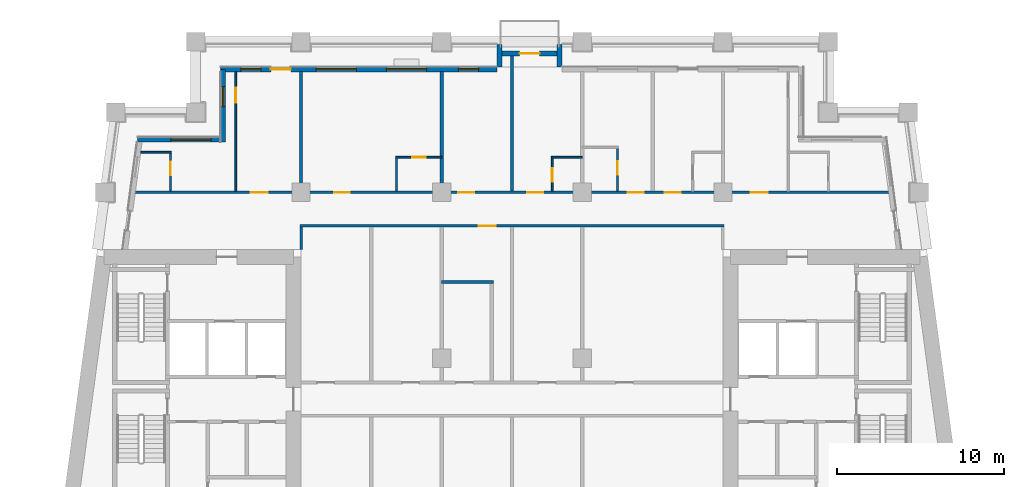
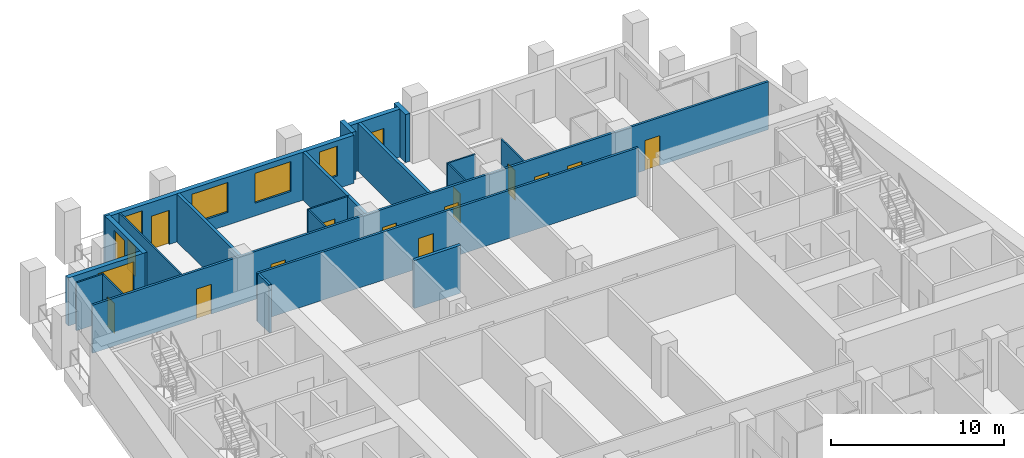
# One storey, part 7 of 13: 21 walls, 15 doors, 6 windows, 21 openings.
"""IFC4 building model written with IfcOpenShell, lengths in metres."""

from ifc_helpers import new_model, si_unit, direction, frame, frame_2d, origin, place, context, subcontext, project, spatial, rectangle, extrude, material, layer, layer_set, type_object, element, fill, save


model = new_model("IFC4")

# Units and contexts
model_context = context("Model", 3, precision=1e-05, world=origin(), true_north=direction((0.0, 1.0)))
body_context = subcontext(model_context, "Body", "Model", "MODEL_VIEW")
ifc_project = project(units=[si_unit("LENGTHUNIT", "METRE"), si_unit("AREAUNIT", "SQUARE_METRE"), si_unit("VOLUMEUNIT", "CUBIC_METRE"), si_unit("PLANEANGLEUNIT", "RADIAN"), si_unit("MASSUNIT", "GRAM", prefix="KILO")], contexts=[model_context])

# Site, building, storey
site_placement = place(None, origin())
site = spatial("IfcSite", under=ifc_project, at=site_placement, CompositionType="ELEMENT")
building_placement = place(site_placement, origin())
building = spatial("IfcBuilding", under=site, at=building_placement, Name="Candeia Pilgrim Tower and Theatre", CompositionType="ELEMENT")
storey_placement = place(building_placement, frame((0.0, 0.0, 181.10009765625)))
storey = spatial("IfcBuildingStorey", under=building, at=storey_placement, Name="L43", CompositionType="ELEMENT", Elevation=181.10009765625)

# Wall, openings, door, windows
ifc_material_1 = material(Name="Ceramic block masonry", Category="masonry")
ifc_layer_1 = layer(ifc_material_1, 0.300048828125)
ifc_layer_set_1 = layer_set([ifc_layer_1], Name="EW1 glazing-line wall 300")
wall_type_1 = type_object("IfcWallType", Name="EW1 glazing-line wall 300", PredefinedType="SOLIDWALL", material=ifc_layer_set_1)
wall_1_placement = place(storey_placement, frame((112.5, 143.14990234375, 0.0), z_axis=(0.0, 0.0, 1.0), x_axis=(-1.0, 0.0, 0.0)))
wall_1 = element("IfcWall", 1, at=wall_1_placement, inside=storey, type_object=wall_type_1, Name="External wall L43-6.1", PredefinedType="SOLIDWALL", context=body_context, shape_type="SweptSolid", body=[
    extrude(rectangle(XDim=16.5, YDim=0.300048828125, at=frame_2d((8.25, 0.0))), origin(), (0.0, 0.0, 1.0), 3.3798828125),
])
opening_1_placement = place(wall_1_placement, frame((1.10009765625, 0.0, 0.89990234375)))
opening_1 = element("IfcOpeningElement", 2, at=opening_1_placement, cuts=wall_1, Name="Opening W-B", PredefinedType="OPENING", context=body_context, shape_type="SweptSolid", body=[
    extrude(rectangle(XDim=1.199951171875, YDim=2.10009765625, at=frame_2d((0.60009765625, 1.050048828125))), frame((0.0, 0.16015625, 0.0), z_axis=(0.0, -1.0, 0.0), x_axis=(1.0, 0.0, 0.0)), (0.0, 0.0, 1.0), 0.320068359375),
])
opening_2_placement = place(wall_1_placement, frame((4.199951171875, 0.0, 0.89990234375)))
opening_2 = element("IfcOpeningElement", 3, at=opening_2_placement, cuts=wall_1, Name="Opening W-A", PredefinedType="OPENING", context=body_context, shape_type="SweptSolid", body=[
    extrude(rectangle(XDim=2.39990234375, YDim=2.10009765625, at=frame_2d((1.199951171875, 1.050048828125))), frame((0.0, 0.16015625, 0.0), z_axis=(0.0, -1.0, 0.0), x_axis=(1.0, 0.0, 0.0)), (0.0, 0.0, 1.0), 0.320068359375),
])
opening_3_placement = place(wall_1_placement, frame((8.39990234375, 0.0, 0.89990234375)))
opening_3 = element("IfcOpeningElement", 4, at=opening_3_placement, cuts=wall_1, Name="Opening W-A", PredefinedType="OPENING", context=body_context, shape_type="SweptSolid", body=[
    extrude(rectangle(XDim=2.39990234375, YDim=2.10009765625, at=frame_2d((1.199951171875, 1.050048828125))), frame((0.0, 0.16015625, 0.0), z_axis=(0.0, -1.0, 0.0), x_axis=(1.0, 0.0, 0.0)), (0.0, 0.0, 1.0), 0.320068359375),
])
opening_4_placement = place(wall_1_placement, frame((12.300048828125, 0.0, 0.0)))
opening_4 = element("IfcOpeningElement", 5, at=opening_4_placement, cuts=wall_1, Name="Opening L43-ED415", PredefinedType="OPENING", context=body_context, shape_type="SweptSolid", body=[
    extrude(rectangle(XDim=1.199951171875, YDim=2.39990234375, at=frame_2d((0.60009765625, 1.199951171875))), frame((0.0, 0.16015625, 0.0), z_axis=(0.0, -1.0, 0.0), x_axis=(1.0, 0.0, 0.0)), (0.0, 0.0, 1.0), 0.320068359375),
])
opening_5_placement = place(wall_1_placement, frame((14.10009765625, 0.0, 0.89990234375)))
opening_5 = element("IfcOpeningElement", 6, at=opening_5_placement, cuts=wall_1, Name="Opening W-B", PredefinedType="OPENING", context=body_context, shape_type="SweptSolid", body=[
    extrude(rectangle(XDim=1.199951171875, YDim=2.10009765625, at=frame_2d((0.60009765625, 1.050048828125))), frame((0.0, 0.16015625, 0.0), z_axis=(0.0, -1.0, 0.0), x_axis=(1.0, 0.0, 0.0)), (0.0, 0.0, 1.0), 0.320068359375),
])
ifc_material_2 = material(Name="Aluminium framed glazed door", Category="aluminium")
door_type_1 = type_object("IfcDoorType", Name="Loggia door 1200x2400", OperationType="DOUBLE_DOOR_SINGLE_SWING", PredefinedType="DOOR", material=ifc_material_2)
door_1_placement = place(opening_4_placement, origin())
door_1 = element("IfcDoor", 7, at=door_1_placement, inside=storey, type_object=door_type_1, Name="Loggia door L43-ED415", OperationType="DOUBLE_DOOR_SINGLE_SWING", OverallHeight=2.39990234375, OverallWidth=1.199951171875, PredefinedType="DOOR", context=body_context, shape_type="SweptSolid", body=[
    extrude(rectangle(XDim=1.199951171875, YDim=2.39990234375, at=frame_2d((0.60009765625, 1.199951171875))), frame((0.0, 0.02490234375, 0.0), z_axis=(0.0, -1.0, 0.0), x_axis=(1.0, 0.0, 0.0)), (0.0, 0.0, 1.0), 0.050048828125),
])
fill(opening_4, door_1)
ifc_material_3 = material(Name="Aluminium framed double glazing", Category="aluminium")
window_type_1 = type_object("IfcWindowType", Name="W-A window 2400x2100", PartitioningType="DOUBLE_PANEL_VERTICAL", PredefinedType="WINDOW", material=ifc_material_3)
window_1_placement = place(opening_2_placement, origin())
window_1 = element("IfcWindow", 8, at=window_1_placement, inside=storey, type_object=window_type_1, Name="Window W-A L43", OverallHeight=2.10009765625, OverallWidth=2.39990234375, PartitioningType="SINGLE_PANEL", PredefinedType="WINDOW", context=body_context, shape_type="SweptSolid", body=[
    extrude(rectangle(XDim=2.39990234375, YDim=2.10009765625, at=frame_2d((1.199951171875, 1.050048828125))), frame((0.0, 0.030029296875, 0.0), z_axis=(0.0, -1.0, 0.0), x_axis=(1.0, 0.0, 0.0)), (0.0, 0.0, 1.0), 0.06005859375),
])
fill(opening_2, window_1)
window_2_placement = place(opening_3_placement, origin())
window_2 = element("IfcWindow", 9, at=window_2_placement, inside=storey, type_object=window_type_1, Name="Window W-A L43", OverallHeight=2.10009765625, OverallWidth=2.39990234375, PartitioningType="SINGLE_PANEL", PredefinedType="WINDOW", context=body_context, shape_type="SweptSolid", body=[
    extrude(rectangle(XDim=2.39990234375, YDim=2.10009765625, at=frame_2d((1.199951171875, 1.050048828125))), frame((0.0, 0.030029296875, 0.0), z_axis=(0.0, -1.0, 0.0), x_axis=(1.0, 0.0, 0.0)), (0.0, 0.0, 1.0), 0.06005859375),
])
fill(opening_3, window_2)
window_type_2 = type_object("IfcWindowType", Name="W-B window 1200x2100", PartitioningType="SINGLE_PANEL", PredefinedType="WINDOW", material=ifc_material_3)
window_3_placement = place(opening_1_placement, origin())
window_3 = element("IfcWindow", 10, at=window_3_placement, inside=storey, type_object=window_type_2, Name="Window W-B L43", OverallHeight=2.10009765625, OverallWidth=1.199951171875, PartitioningType="SINGLE_PANEL", PredefinedType="WINDOW", context=body_context, shape_type="SweptSolid", body=[
    extrude(rectangle(XDim=1.199951171875, YDim=2.10009765625, at=frame_2d((0.60009765625, 1.050048828125))), frame((0.0, 0.030029296875, 0.0), z_axis=(0.0, -1.0, 0.0), x_axis=(1.0, 0.0, 0.0)), (0.0, 0.0, 1.0), 0.06005859375),
])
fill(opening_1, window_3)
window_4_placement = place(opening_5_placement, origin())
window_4 = element("IfcWindow", 11, at=window_4_placement, inside=storey, type_object=window_type_2, Name="Window W-B L43", OverallHeight=2.10009765625, OverallWidth=1.199951171875, PartitioningType="SINGLE_PANEL", PredefinedType="WINDOW", context=body_context, shape_type="SweptSolid", body=[
    extrude(rectangle(XDim=1.199951171875, YDim=2.10009765625, at=frame_2d((0.60009765625, 1.050048828125))), frame((0.0, 0.030029296875, 0.0), z_axis=(0.0, -1.0, 0.0), x_axis=(1.0, 0.0, 0.0)), (0.0, 0.0, 1.0), 0.06005859375),
])
fill(opening_5, window_4)

# Wall, opening, window
wall_2_placement = place(storey_placement, frame((96.14990234375, 143.14990234375, 0.0), z_axis=(0.0, 0.0, 1.0), x_axis=(0.0, -1.0, 0.0)))
wall_2 = element("IfcWall", 12, at=wall_2_placement, inside=storey, type_object=wall_type_1, Name="External wall L43-7.0", PredefinedType="SOLIDWALL", context=body_context, shape_type="SweptSolid", body=[
    extrude(rectangle(XDim=4.349853515625, YDim=0.300048828125, at=frame_2d((2.1748046875, 0.0))), origin(), (0.0, 0.0, 1.0), 3.3798828125),
])
opening_6_placement = place(wall_2_placement, frame((1.02490234375, 0.0, 0.89990234375)))
opening_6 = element("IfcOpeningElement", 13, at=opening_6_placement, cuts=wall_2, Name="Opening W-B", PredefinedType="OPENING", context=body_context, shape_type="SweptSolid", body=[
    extrude(rectangle(XDim=1.199951171875, YDim=2.10009765625, at=frame_2d((0.60009765625, 1.050048828125))), frame((0.0, 0.16015625, 0.0), z_axis=(0.0, -1.0, 0.0), x_axis=(1.0, 0.0, 0.0)), (0.0, 0.0, 1.0), 0.320068359375),
])
window_5_placement = place(opening_6_placement, origin())
window_5 = element("IfcWindow", 14, at=window_5_placement, inside=storey, type_object=window_type_2, Name="Window W-B L43", OverallHeight=2.10009765625, OverallWidth=1.199951171875, PartitioningType="SINGLE_PANEL", PredefinedType="WINDOW", context=body_context, shape_type="SweptSolid", body=[
    extrude(rectangle(XDim=1.199951171875, YDim=2.10009765625, at=frame_2d((0.60009765625, 1.050048828125))), frame((0.0, 0.030029296875, 0.0), z_axis=(0.0, -1.0, 0.0), x_axis=(1.0, 0.0, 0.0)), (0.0, 0.0, 1.0), 0.06005859375),
])
fill(opening_6, window_5)

wall_3_placement = place(storey_placement, frame((96.14990234375, 138.949951171875, 0.0), z_axis=(0.0, 0.0, 1.0), x_axis=(-1.0, 0.0, 0.0)))
wall_3 = element("IfcWall", 15, at=wall_3_placement, inside=storey, type_object=wall_type_1, Name="External wall L43-8.0", PredefinedType="SOLIDWALL", context=body_context, shape_type="SweptSolid", body=[
    extrude(rectangle(XDim=5.103759765625, YDim=0.300048828125, at=frame_2d((2.5517578125, 0.0))), origin(), (0.0, 0.0, 1.0), 3.3798828125),
])
opening_7_placement = place(wall_3_placement, frame((0.72509765625, 0.0, 0.89990234375)))
opening_7 = element("IfcOpeningElement", 16, at=opening_7_placement, cuts=wall_3, Name="Opening W-A", PredefinedType="OPENING", context=body_context, shape_type="SweptSolid", body=[
    extrude(rectangle(XDim=2.39990234375, YDim=2.10009765625, at=frame_2d((1.199951171875, 1.050048828125))), frame((0.0, 0.16015625, 0.0), z_axis=(0.0, -1.0, 0.0), x_axis=(1.0, 0.0, 0.0)), (0.0, 0.0, 1.0), 0.320068359375),
])
window_6_placement = place(opening_7_placement, origin())
window_6 = element("IfcWindow", 17, at=window_6_placement, inside=storey, type_object=window_type_1, Name="Window W-A L43", OverallHeight=2.10009765625, OverallWidth=2.39990234375, PartitioningType="SINGLE_PANEL", PredefinedType="WINDOW", context=body_context, shape_type="SweptSolid", body=[
    extrude(rectangle(XDim=2.39990234375, YDim=2.10009765625, at=frame_2d((1.199951171875, 1.050048828125))), frame((0.0, 0.030029296875, 0.0), z_axis=(0.0, -1.0, 0.0), x_axis=(1.0, 0.0, 0.0)), (0.0, 0.0, 1.0), 0.06005859375),
])
fill(opening_7, window_6)

# Walls
ifc_layer_2 = layer(ifc_material_1, 0.300048828125)
ifc_layer_set_2 = layer_set([ifc_layer_2], Name="EW2 entrance infill wall 300")
wall_type_2 = type_object("IfcWallType", Name="EW2 entrance infill wall 300", PredefinedType="SOLIDWALL", material=ifc_layer_set_2)
for number, where, z_axis, x_axis, name in (
    (18, (116.25, 143.300048828125, 0.0), (0.0, 0.0, 1.0), (0.0, 1.0, 0.0), "Alcove wall L43"),
    (19, (112.64990234375, 143.300048828125, 0.0), (0.0, 0.0, 1.0), (0.0, 1.0, 0.0), "Alcove wall L43"),
):
    element("IfcWall", number, at=place(storey_placement, frame(where, z_axis=z_axis, x_axis=x_axis)), inside=storey, type_object=wall_type_2, Name=name, PredefinedType="SOLIDWALL", context=body_context, shape_type="SweptSolid", body=[
        extrude(rectangle(XDim=1.349853515625, YDim=0.300048828125, at=frame_2d((0.6748046875, 0.0))), origin(), (0.0, 0.0, 1.0), 3.3798828125),
    ])

# Wall, opening, door
wall_4_placement = place(storey_placement, frame((116.39990234375, 144.10009765625, 0.0), z_axis=(0.0, 0.0, 1.0), x_axis=(-1.0, 0.0, 0.0)))
wall_4 = element("IfcWall", 20, at=wall_4_placement, inside=storey, type_object=wall_type_2, Name="Alcove wall L43", PredefinedType="SOLIDWALL", context=body_context, shape_type="SweptSolid", body=[
    extrude(rectangle(XDim=3.89990234375, YDim=0.300048828125, at=frame_2d((1.949951171875, 0.0))), origin(), (0.0, 0.0, 1.0), 3.3798828125),
])
opening_8_placement = place(wall_4_placement, frame((1.35009765625, 0.0, 0.0)))
opening_8 = element("IfcOpeningElement", 21, at=opening_8_placement, cuts=wall_4, Name="Opening L43-ED416", PredefinedType="OPENING", context=body_context, shape_type="SweptSolid", body=[
    extrude(rectangle(XDim=1.199951171875, YDim=2.39990234375, at=frame_2d((0.60009765625, 1.199951171875))), frame((0.0, 0.16015625, 0.0), z_axis=(0.0, -1.0, 0.0), x_axis=(1.0, 0.0, 0.0)), (0.0, 0.0, 1.0), 0.320068359375),
])
door_2_placement = place(opening_8_placement, origin())
door_2 = element("IfcDoor", 22, at=door_2_placement, inside=storey, type_object=door_type_1, Name="Balcony door L43-ED416", OperationType="DOUBLE_DOOR_SINGLE_SWING", OverallHeight=2.39990234375, OverallWidth=1.199951171875, PredefinedType="DOOR", context=body_context, shape_type="SweptSolid", body=[
    extrude(rectangle(XDim=1.199951171875, YDim=2.39990234375, at=frame_2d((0.60009765625, 1.199951171875))), frame((0.0, 0.02490234375, 0.0), z_axis=(0.0, -1.0, 0.0), x_axis=(1.0, 0.0, 0.0)), (0.0, 0.0, 1.0), 0.050048828125),
])
fill(opening_8, door_2)

ifc_material_4 = material(Name="Gypsum board partition on steel studs", Category="steel")
ifc_layer_3 = layer(ifc_material_4, 0.10009765625)
ifc_layer_set_3 = layer_set([ifc_layer_3], Name="PW-100 room partition")
wall_type_3 = type_object("IfcWallType", Name="PW-100 room partition", PredefinedType="PARTITIONING", material=ifc_layer_set_3)
wall_5_placement = place(storey_placement, frame((106.449951171875, 137.89990234375, 0.0), z_axis=(0.0, 0.0, 1.0), x_axis=(1.0, 0.0, 0.0)))
wall_5 = element("IfcWall", 23, at=wall_5_placement, inside=storey, type_object=wall_type_3, Name="Room partition L43-046", PredefinedType="PARTITIONING", context=body_context, shape_type="SweptSolid", body=[
    extrude(rectangle(XDim=2.75, YDim=0.10009765625, at=frame_2d((1.375, 0.0))), origin(), (0.0, 0.0, 1.0), 3.3798828125),
])
opening_9_placement = place(wall_5_placement, frame((1.0, 0.0, 0.0)))
opening_9 = element("IfcOpeningElement", 24, at=opening_9_placement, cuts=wall_5, Name="Opening L43-D042", PredefinedType="OPENING", context=body_context, shape_type="SweptSolid", body=[
    extrude(rectangle(XDim=0.800048828125, YDim=2.10009765625, at=frame_2d((0.39990234375, 1.050048828125))), frame((0.0, 0.06005859375, 0.0), z_axis=(0.0, -1.0, 0.0), x_axis=(1.0, 0.0, 0.0)), (0.0, 0.0, 1.0), 0.1201171875),
])
ifc_material_5 = material(Name="Timber door leaf", Category="wood")
door_type_2 = type_object("IfcDoorType", Name="D-800", OperationType="NOTDEFINED", PredefinedType="DOOR", material=ifc_material_5)
door_3_placement = place(opening_9_placement, origin())
door_3 = element("IfcDoor", 25, at=door_3_placement, inside=storey, type_object=door_type_2, Name="Door L43-D042", OperationType="SINGLE_SWING_LEFT", OverallHeight=2.10009765625, OverallWidth=0.800048828125, PredefinedType="DOOR", context=body_context, shape_type="SweptSolid", body=[
    extrude(rectangle(XDim=0.800048828125, YDim=2.10009765625, at=frame_2d((0.39990234375, 1.050048828125))), frame((0.0, 0.02490234375, 0.0), z_axis=(0.0, -1.0, 0.0), x_axis=(1.0, 0.0, 0.0)), (0.0, 0.0, 1.0), 0.050048828125),
])
fill(opening_9, door_3)

# Walls
wall_6_placement = place(storey_placement, frame((115.75, 137.89990234375, 0.0), z_axis=(0.0, 0.0, 1.0), x_axis=(1.0, 0.0, 0.0)))
element("IfcWall", 26, at=wall_6_placement, inside=storey, type_object=wall_type_3, Name="Room partition L43-047", PredefinedType="PARTITIONING", context=body_context, shape_type="SweptSolid", body=[
    extrude(rectangle(XDim=1.85009765625, YDim=0.10009765625, at=frame_2d((0.925048828125, 0.0))), origin(), (0.0, 0.0, 1.0), 3.3798828125),
])
wall_7_placement = place(storey_placement, frame((91.2177734375, 138.199951171875, 0.0), z_axis=(0.0, 0.0, 1.0), x_axis=(1.0, 0.0, 0.0)))
element("IfcWall", 27, at=wall_7_placement, inside=storey, type_object=wall_type_3, Name="Room partition L43-048", PredefinedType="PARTITIONING", context=body_context, shape_type="SweptSolid", body=[
    extrude(rectangle(XDim=1.832275390625, YDim=0.10009765625, at=frame_2d((0.916015625, 0.0))), origin(), (0.0, 0.0, 1.0), 3.3798828125),
])

# Wall, opening, door
wall_8_placement = place(storey_placement, frame((93.0, 135.875, 0.0), z_axis=(0.0, 0.0, 1.0), x_axis=(0.0, 1.0, 0.0)))
wall_8 = element("IfcWall", 28, at=wall_8_placement, inside=storey, type_object=wall_type_3, Name="Room partition L43-064", PredefinedType="PARTITIONING", context=body_context, shape_type="SweptSolid", body=[
    extrude(rectangle(XDim=2.27490234375, YDim=0.10009765625, at=frame_2d((1.137451171875, 0.0))), origin(), (0.0, 0.0, 1.0), 3.3798828125),
])
opening_10_placement = place(wall_8_placement, frame((0.949951171875, 0.0, 0.0)))
opening_10 = element("IfcOpeningElement", 29, at=opening_10_placement, cuts=wall_8, Name="Opening L43-D040", PredefinedType="OPENING", context=body_context, shape_type="SweptSolid", body=[
    extrude(rectangle(XDim=0.800048828125, YDim=2.10009765625, at=frame_2d((0.39990234375, 1.050048828125))), frame((0.0, 0.06005859375, 0.0), z_axis=(0.0, -1.0, 0.0), x_axis=(1.0, 0.0, 0.0)), (0.0, 0.0, 1.0), 0.1201171875),
])
door_4_placement = place(opening_10_placement, origin())
door_4 = element("IfcDoor", 30, at=door_4_placement, inside=storey, type_object=door_type_2, Name="Door L43-D040", OperationType="SINGLE_SWING_LEFT", OverallHeight=2.10009765625, OverallWidth=0.800048828125, PredefinedType="DOOR", context=body_context, shape_type="SweptSolid", body=[
    extrude(rectangle(XDim=0.800048828125, YDim=2.10009765625, at=frame_2d((0.39990234375, 1.050048828125))), frame((0.0, 0.02490234375, 0.0), z_axis=(0.0, -1.0, 0.0), x_axis=(1.0, 0.0, 0.0)), (0.0, 0.0, 1.0), 0.050048828125),
])
fill(opening_10, door_4)

wall_9_placement = place(storey_placement, frame((96.89990234375, 135.875, 0.0), z_axis=(0.0, 0.0, 1.0), x_axis=(0.0, 1.0, 0.0)))
wall_9 = element("IfcWall", 31, at=wall_9_placement, inside=storey, type_object=wall_type_3, Name="Room partition L43-071", PredefinedType="PARTITIONING", context=body_context, shape_type="SweptSolid", body=[
    extrude(rectangle(XDim=7.135009765625, YDim=0.10009765625, at=frame_2d((3.5673828125, 0.0))), origin(), (0.0, 0.0, 1.0), 3.3798828125),
])
opening_11_placement = place(wall_9_placement, frame((5.2900390625, 0.0, 0.0)))
opening_11 = element("IfcOpeningElement", 32, at=opening_11_placement, cuts=wall_9, Name="Opening L43-D039", PredefinedType="OPENING", context=body_context, shape_type="SweptSolid", body=[
    extrude(rectangle(XDim=0.89990234375, YDim=2.10009765625, at=frame_2d((0.449951171875, 1.050048828125))), frame((0.0, 0.06005859375, 0.0), z_axis=(0.0, -1.0, 0.0), x_axis=(1.0, 0.0, 0.0)), (0.0, 0.0, 1.0), 0.1201171875),
])
door_type_3 = type_object("IfcDoorType", Name="D-900", OperationType="NOTDEFINED", PredefinedType="DOOR", material=ifc_material_5)
door_5_placement = place(opening_11_placement, origin())
door_5 = element("IfcDoor", 33, at=door_5_placement, inside=storey, type_object=door_type_3, Name="Door L43-D039", OperationType="SINGLE_SWING_RIGHT", OverallHeight=2.10009765625, OverallWidth=0.89990234375, PredefinedType="DOOR", context=body_context, shape_type="SweptSolid", body=[
    extrude(rectangle(XDim=0.89990234375, YDim=2.10009765625, at=frame_2d((0.449951171875, 1.050048828125))), frame((0.0, 0.02490234375, 0.0), z_axis=(0.0, -1.0, 0.0), x_axis=(1.0, 0.0, 0.0)), (0.0, 0.0, 1.0), 0.050048828125),
])
fill(opening_11, door_5)

# Wall
wall_10_placement = place(storey_placement, frame((106.5, 135.875, 0.0), z_axis=(0.0, 0.0, 1.0), x_axis=(0.0, 1.0, 0.0)))
element("IfcWall", 34, at=wall_10_placement, inside=storey, type_object=wall_type_3, Name="Room partition L43-085", PredefinedType="PARTITIONING", context=body_context, shape_type="SweptSolid", body=[
    extrude(rectangle(XDim=1.97509765625, YDim=0.10009765625, at=frame_2d((0.987548828125, 0.0))), origin(), (0.0, 0.0, 1.0), 3.3798828125),
])

# Wall, opening, door
wall_11_placement = place(storey_placement, frame((115.800048828125, 135.875, 0.0), z_axis=(0.0, 0.0, 1.0), x_axis=(0.0, 1.0, 0.0)))
wall_11 = element("IfcWall", 35, at=wall_11_placement, inside=storey, type_object=wall_type_3, Name="Room partition L43-094", PredefinedType="PARTITIONING", context=body_context, shape_type="SweptSolid", body=[
    extrude(rectangle(XDim=1.97509765625, YDim=0.10009765625, at=frame_2d((0.987548828125, 0.0))), origin(), (0.0, 0.0, 1.0), 3.3798828125),
])
opening_12_placement = place(wall_11_placement, frame((0.574951171875, 0.0, 0.0)))
opening_12 = element("IfcOpeningElement", 36, at=opening_12_placement, cuts=wall_11, Name="Opening L43-D045", PredefinedType="OPENING", context=body_context, shape_type="SweptSolid", body=[
    extrude(rectangle(XDim=0.800048828125, YDim=2.10009765625, at=frame_2d((0.39990234375, 1.050048828125))), frame((0.0, 0.06005859375, 0.0), z_axis=(0.0, -1.0, 0.0), x_axis=(1.0, 0.0, 0.0)), (0.0, 0.0, 1.0), 0.1201171875),
])
door_6_placement = place(opening_12_placement, origin())
door_6 = element("IfcDoor", 37, at=door_6_placement, inside=storey, type_object=door_type_2, Name="Door L43-D045", OperationType="SINGLE_SWING_RIGHT", OverallHeight=2.10009765625, OverallWidth=0.800048828125, PredefinedType="DOOR", context=body_context, shape_type="SweptSolid", body=[
    extrude(rectangle(XDim=0.800048828125, YDim=2.10009765625, at=frame_2d((0.39990234375, 1.050048828125))), frame((0.0, 0.02490234375, 0.0), z_axis=(0.0, -1.0, 0.0), x_axis=(1.0, 0.0, 0.0)), (0.0, 0.0, 1.0), 0.050048828125),
])
fill(opening_12, door_6)

wall_12_placement = place(storey_placement, frame((119.699951171875, 135.875, 0.0), z_axis=(0.0, 0.0, 1.0), x_axis=(0.0, 1.0, 0.0)))
wall_12 = element("IfcWall", 38, at=wall_12_placement, inside=storey, type_object=wall_type_3, Name="Room partition L43-100", PredefinedType="PARTITIONING", context=body_context, shape_type="SweptSolid", body=[
    extrude(rectangle(XDim=2.574951171875, YDim=0.10009765625, at=frame_2d((1.28759765625, 0.0))), origin(), (0.0, 0.0, 1.0), 3.3798828125),
])
opening_13_placement = place(wall_12_placement, frame((0.9951171875, 0.0, 0.0)))
opening_13 = element("IfcOpeningElement", 39, at=opening_13_placement, cuts=wall_12, Name="Opening L43-D047", PredefinedType="OPENING", context=body_context, shape_type="SweptSolid", body=[
    extrude(rectangle(XDim=0.800048828125, YDim=2.10009765625, at=frame_2d((0.39990234375, 1.050048828125))), frame((0.0, 0.06005859375, 0.0), z_axis=(0.0, -1.0, 0.0), x_axis=(1.0, 0.0, 0.0)), (0.0, 0.0, 1.0), 0.1201171875),
])
door_7_placement = place(opening_13_placement, origin())
door_7 = element("IfcDoor", 40, at=door_7_placement, inside=storey, type_object=door_type_2, Name="Door L43-D047", OperationType="SINGLE_SWING_RIGHT", OverallHeight=2.10009765625, OverallWidth=0.800048828125, PredefinedType="DOOR", context=body_context, shape_type="SweptSolid", body=[
    extrude(rectangle(XDim=0.800048828125, YDim=2.10009765625, at=frame_2d((0.39990234375, 1.050048828125))), frame((0.0, 0.02490234375, 0.0), z_axis=(0.0, -1.0, 0.0), x_axis=(1.0, 0.0, 0.0)), (0.0, 0.0, 1.0), 0.050048828125),
])
fill(opening_13, door_7)

ifc_layer_4 = layer(ifc_material_4, 0.14990234375)
ifc_layer_set_4 = layer_set([ifc_layer_4], Name="PW-150 unit wall")
wall_type_4 = type_object("IfcWallType", Name="PW-150 unit wall", PredefinedType="PARTITIONING", material=ifc_layer_set_4)
wall_13_placement = place(storey_placement, frame((100.72509765625, 133.800048828125, 0.0), z_axis=(0.0, 0.0, 1.0), x_axis=(1.0, 0.0, 0.0)))
wall_13 = element("IfcWall", 41, at=wall_13_placement, inside=storey, type_object=wall_type_4, Name="Unit wall L43-044", PredefinedType="PARTITIONING", context=body_context, shape_type="SweptSolid", body=[
    extrude(rectangle(XDim=25.349853515625, YDim=0.14990234375, at=frame_2d((12.6748046875, 0.0))), origin(), (0.0, 0.0, 1.0), 3.3798828125),
])
opening_14_placement = place(wall_13_placement, frame((10.699951171875, 0.0, 0.0)))
opening_14 = element("IfcOpeningElement", 42, at=opening_14_placement, cuts=wall_13, Name="Opening L43-D053", PredefinedType="OPENING", context=body_context, shape_type="SweptSolid", body=[
    extrude(rectangle(XDim=1.0, YDim=2.10009765625, at=frame_2d((0.5, 1.050048828125))), frame((0.0, 0.0849609375, 0.0), z_axis=(0.0, -1.0, 0.0), x_axis=(1.0, 0.0, 0.0)), (0.0, 0.0, 1.0), 0.169921875),
])
ifc_material_6 = material(Name="Steel fire door set", Category="steel")
door_type_4 = type_object("IfcDoorType", Name="D-1000-FD30S", OperationType="NOTDEFINED", PredefinedType="DOOR", material=ifc_material_6)
door_8_placement = place(opening_14_placement, origin())
door_8 = element("IfcDoor", 43, at=door_8_placement, inside=storey, type_object=door_type_4, Name="Door L43-D053", OperationType="SINGLE_SWING_RIGHT", OverallHeight=2.10009765625, OverallWidth=1.0, PredefinedType="DOOR", context=body_context, shape_type="SweptSolid", body=[
    extrude(rectangle(XDim=1.0, YDim=2.10009765625, at=frame_2d((0.5, 1.050048828125))), frame((0.0, 0.02490234375, 0.0), z_axis=(0.0, -1.0, 0.0), x_axis=(1.0, 0.0, 0.0)), (0.0, 0.0, 1.0), 0.050048828125),
])
fill(opening_14, door_8)

# Wall, openings, doors
wall_14_placement = place(storey_placement, frame((90.89453125, 135.800048828125, 0.0), z_axis=(0.0, 0.0, 1.0), x_axis=(1.0, 0.0, 0.0)))
wall_14 = element("IfcWall", 44, at=wall_14_placement, inside=storey, type_object=wall_type_4, Name="Unit wall L43-045", PredefinedType="PARTITIONING", context=body_context, shape_type="SweptSolid", body=[
    extrude(rectangle(XDim=45.010986328125, YDim=0.14990234375, at=frame_2d((22.50537109375, 0.0))), origin(), (0.0, 0.0, 1.0), 3.3798828125),
])
opening_15_placement = place(wall_14_placement, frame((6.905517578125, 0.0, 0.0)))
opening_15 = element("IfcOpeningElement", 45, at=opening_15_placement, cuts=wall_14, Name="Opening L43-D038", PredefinedType="OPENING", context=body_context, shape_type="SweptSolid", body=[
    extrude(rectangle(XDim=1.0, YDim=2.10009765625, at=frame_2d((0.5, 1.050048828125))), frame((0.0, 0.0849609375, 0.0), z_axis=(0.0, -1.0, 0.0), x_axis=(1.0, 0.0, 0.0)), (0.0, 0.0, 1.0), 0.169921875),
])
opening_16_placement = place(wall_14_placement, frame((11.87548828125, 0.0, 0.0)))
opening_16 = element("IfcOpeningElement", 46, at=opening_16_placement, cuts=wall_14, Name="Opening L43-D041", PredefinedType="OPENING", context=body_context, shape_type="SweptSolid", body=[
    extrude(rectangle(XDim=0.949951171875, YDim=2.10009765625, at=frame_2d((0.47509765625, 1.050048828125))), frame((0.0, 0.0849609375, 0.0), z_axis=(0.0, -1.0, 0.0), x_axis=(1.0, 0.0, 0.0)), (0.0, 0.0, 1.0), 0.169921875),
])
opening_17_placement = place(wall_14_placement, frame((19.29248046875, 0.0, 0.0)))
opening_17 = element("IfcOpeningElement", 47, at=opening_17_placement, cuts=wall_14, Name="Opening L43-D043", PredefinedType="OPENING", context=body_context, shape_type="SweptSolid", body=[
    extrude(rectangle(XDim=0.949951171875, YDim=2.10009765625, at=frame_2d((0.47509765625, 1.050048828125))), frame((0.0, 0.0849609375, 0.0), z_axis=(0.0, -1.0, 0.0), x_axis=(1.0, 0.0, 0.0)), (0.0, 0.0, 1.0), 0.169921875),
])
opening_18_placement = place(wall_14_placement, frame((23.41845703125, 0.0, 0.0)))
opening_18 = element("IfcOpeningElement", 48, at=opening_18_placement, cuts=wall_14, Name="Opening L43-D044", PredefinedType="OPENING", context=body_context, shape_type="SweptSolid", body=[
    extrude(rectangle(XDim=0.949951171875, YDim=2.10009765625, at=frame_2d((0.47509765625, 1.050048828125))), frame((0.0, 0.0849609375, 0.0), z_axis=(0.0, -1.0, 0.0), x_axis=(1.0, 0.0, 0.0)), (0.0, 0.0, 1.0), 0.169921875),
])
opening_19_placement = place(wall_14_placement, frame((29.42529296875, 0.0, 0.0)))
opening_19 = element("IfcOpeningElement", 49, at=opening_19_placement, cuts=wall_14, Name="Opening L43-D046", PredefinedType="OPENING", context=body_context, shape_type="SweptSolid", body=[
    extrude(rectangle(XDim=0.949951171875, YDim=2.10009765625, at=frame_2d((0.47509765625, 1.050048828125))), frame((0.0, 0.0849609375, 0.0), z_axis=(0.0, -1.0, 0.0), x_axis=(1.0, 0.0, 0.0)), (0.0, 0.0, 1.0), 0.169921875),
])
opening_20_placement = place(wall_14_placement, frame((31.63037109375, 0.0, 0.0)))
opening_20 = element("IfcOpeningElement", 50, at=opening_20_placement, cuts=wall_14, Name="Opening L43-D048", PredefinedType="OPENING", context=body_context, shape_type="SweptSolid", body=[
    extrude(rectangle(XDim=0.949951171875, YDim=2.10009765625, at=frame_2d((0.47509765625, 1.050048828125))), frame((0.0, 0.0849609375, 0.0), z_axis=(0.0, -1.0, 0.0), x_axis=(1.0, 0.0, 0.0)), (0.0, 0.0, 1.0), 0.169921875),
])
opening_21_placement = place(wall_14_placement, frame((36.775390625, 0.0, 0.0)))
opening_21 = element("IfcOpeningElement", 51, at=opening_21_placement, cuts=wall_14, Name="Opening L43-D050", PredefinedType="OPENING", context=body_context, shape_type="SweptSolid", body=[
    extrude(rectangle(XDim=1.0, YDim=2.10009765625, at=frame_2d((0.5, 1.050048828125))), frame((0.0, 0.0849609375, 0.0), z_axis=(0.0, -1.0, 0.0), x_axis=(1.0, 0.0, 0.0)), (0.0, 0.0, 1.0), 0.169921875),
])
door_9_placement = place(opening_15_placement, origin())
door_9 = element("IfcDoor", 52, at=door_9_placement, inside=storey, type_object=door_type_4, Name="Door L43-D038", OperationType="SINGLE_SWING_LEFT", OverallHeight=2.10009765625, OverallWidth=1.0, PredefinedType="DOOR", context=body_context, shape_type="SweptSolid", body=[
    extrude(rectangle(XDim=1.0, YDim=2.10009765625, at=frame_2d((0.5, 1.050048828125))), frame((0.0, 0.02490234375, 0.0), z_axis=(0.0, -1.0, 0.0), x_axis=(1.0, 0.0, 0.0)), (0.0, 0.0, 1.0), 0.050048828125),
])
fill(opening_15, door_9)
door_10_placement = place(opening_21_placement, origin())
door_10 = element("IfcDoor", 53, at=door_10_placement, inside=storey, type_object=door_type_4, Name="Door L43-D050", OperationType="SINGLE_SWING_LEFT", OverallHeight=2.10009765625, OverallWidth=1.0, PredefinedType="DOOR", context=body_context, shape_type="SweptSolid", body=[
    extrude(rectangle(XDim=1.0, YDim=2.10009765625, at=frame_2d((0.5, 1.050048828125))), frame((0.0, 0.02490234375, 0.0), z_axis=(0.0, -1.0, 0.0), x_axis=(1.0, 0.0, 0.0)), (0.0, 0.0, 1.0), 0.050048828125),
])
fill(opening_21, door_10)
door_type_5 = type_object("IfcDoorType", Name="D-950-FD30S", OperationType="NOTDEFINED", PredefinedType="DOOR", material=ifc_material_6)
door_11_placement = place(opening_16_placement, origin())
door_11 = element("IfcDoor", 54, at=door_11_placement, inside=storey, type_object=door_type_5, Name="Door L43-D041", OperationType="SINGLE_SWING_RIGHT", OverallHeight=2.10009765625, OverallWidth=0.949951171875, PredefinedType="DOOR", context=body_context, shape_type="SweptSolid", body=[
    extrude(rectangle(XDim=0.949951171875, YDim=2.10009765625, at=frame_2d((0.47509765625, 1.050048828125))), frame((0.0, 0.02490234375, 0.0), z_axis=(0.0, -1.0, 0.0), x_axis=(1.0, 0.0, 0.0)), (0.0, 0.0, 1.0), 0.050048828125),
])
fill(opening_16, door_11)
door_12_placement = place(opening_17_placement, origin())
door_12 = element("IfcDoor", 55, at=door_12_placement, inside=storey, type_object=door_type_5, Name="Door L43-D043", OperationType="SINGLE_SWING_RIGHT", OverallHeight=2.10009765625, OverallWidth=0.949951171875, PredefinedType="DOOR", context=body_context, shape_type="SweptSolid", body=[
    extrude(rectangle(XDim=0.949951171875, YDim=2.10009765625, at=frame_2d((0.47509765625, 1.050048828125))), frame((0.0, 0.02490234375, 0.0), z_axis=(0.0, -1.0, 0.0), x_axis=(1.0, 0.0, 0.0)), (0.0, 0.0, 1.0), 0.050048828125),
])
fill(opening_17, door_12)
door_13_placement = place(opening_18_placement, origin())
door_13 = element("IfcDoor", 56, at=door_13_placement, inside=storey, type_object=door_type_5, Name="Door L43-D044", OperationType="SINGLE_SWING_LEFT", OverallHeight=2.10009765625, OverallWidth=0.949951171875, PredefinedType="DOOR", context=body_context, shape_type="SweptSolid", body=[
    extrude(rectangle(XDim=0.949951171875, YDim=2.10009765625, at=frame_2d((0.47509765625, 1.050048828125))), frame((0.0, 0.02490234375, 0.0), z_axis=(0.0, -1.0, 0.0), x_axis=(1.0, 0.0, 0.0)), (0.0, 0.0, 1.0), 0.050048828125),
])
fill(opening_18, door_13)
door_14_placement = place(opening_19_placement, origin())
door_14 = element("IfcDoor", 57, at=door_14_placement, inside=storey, type_object=door_type_5, Name="Door L43-D046", OperationType="SINGLE_SWING_LEFT", OverallHeight=2.10009765625, OverallWidth=0.949951171875, PredefinedType="DOOR", context=body_context, shape_type="SweptSolid", body=[
    extrude(rectangle(XDim=0.949951171875, YDim=2.10009765625, at=frame_2d((0.47509765625, 1.050048828125))), frame((0.0, 0.02490234375, 0.0), z_axis=(0.0, -1.0, 0.0), x_axis=(1.0, 0.0, 0.0)), (0.0, 0.0, 1.0), 0.050048828125),
])
fill(opening_19, door_14)
door_15_placement = place(opening_20_placement, origin())
door_15 = element("IfcDoor", 58, at=door_15_placement, inside=storey, type_object=door_type_5, Name="Door L43-D048", OperationType="SINGLE_SWING_LEFT", OverallHeight=2.10009765625, OverallWidth=0.949951171875, PredefinedType="DOOR", context=body_context, shape_type="SweptSolid", body=[
    extrude(rectangle(XDim=0.949951171875, YDim=2.10009765625, at=frame_2d((0.47509765625, 1.050048828125))), frame((0.0, 0.02490234375, 0.0), z_axis=(0.0, -1.0, 0.0), x_axis=(1.0, 0.0, 0.0)), (0.0, 0.0, 1.0), 0.050048828125),
])
fill(opening_20, door_15)

# Walls
wall_15_placement = place(storey_placement, frame((100.800048828125, 132.39990234375, 0.0), z_axis=(0.0, 0.0, 1.0), x_axis=(0.0, 1.0, 0.0)))
element("IfcWall", 59, at=wall_15_placement, inside=storey, type_object=wall_type_4, Name="Unit wall L43-079", PredefinedType="PARTITIONING", context=body_context, shape_type="SweptSolid", body=[
    extrude(rectangle(XDim=1.3251953125, YDim=0.14990234375, at=frame_2d((0.66259765625, 0.0))), origin(), (0.0, 0.0, 1.0), 3.3798828125),
])
ifc_layer_5 = layer(ifc_material_4, 0.199951171875)
ifc_layer_set_5 = layer_set([ifc_layer_5], Name="PW-200 party wall")
wall_type_5 = type_object("IfcWallType", Name="PW-200 party wall", PredefinedType="PARTITIONING", material=ifc_layer_set_5)
wall_16_placement = place(storey_placement, frame((109.199951171875, 130.449951171875, 0.0), z_axis=(0.0, 0.0, 1.0), x_axis=(1.0, 0.0, 0.0)))
element("IfcWall", 60, at=wall_16_placement, inside=storey, type_object=wall_type_5, Name="Party wall L43-041", PredefinedType="PARTITIONING", context=body_context, shape_type="SweptSolid", body=[
    extrude(rectangle(XDim=3.10009765625, YDim=0.199951171875, at=frame_2d((1.550048828125, 0.0))), origin(), (0.0, 0.0, 1.0), 3.3798828125),
])
for number, where, z_axis, x_axis, name in (
    (61, (100.800048828125, 135.875, 0.0), (0.0, 0.0, 1.0), (0.0, 1.0, 0.0), "Party wall L43-077"),
    (62, (109.199951171875, 135.875, 0.0), (0.0, 0.0, 1.0), (0.0, 1.0, 0.0), "Party wall L43-089"),
):
    element("IfcWall", number, at=place(storey_placement, frame(where, z_axis=z_axis, x_axis=x_axis)), inside=storey, type_object=wall_type_5, Name=name, PredefinedType="PARTITIONING", context=body_context, shape_type="SweptSolid", body=[
        extrude(rectangle(XDim=7.135009765625, YDim=0.199951171875, at=frame_2d((3.5673828125, 0.0))), origin(), (0.0, 0.0, 1.0), 3.3798828125),
    ])
wall_17_placement = place(storey_placement, frame((113.39990234375, 135.875, 0.0), z_axis=(0.0, 0.0, 1.0), x_axis=(0.0, 1.0, 0.0)))
element("IfcWall", 63, at=wall_17_placement, inside=storey, type_object=wall_type_5, Name="Party wall L43-093", PredefinedType="PARTITIONING", context=body_context, shape_type="SweptSolid", body=[
    extrude(rectangle(XDim=8.0849609375, YDim=0.199951171875, at=frame_2d((4.04248046875, 0.0))), origin(), (0.0, 0.0, 1.0), 3.3798828125),
])

save(model, "model.ifc")
